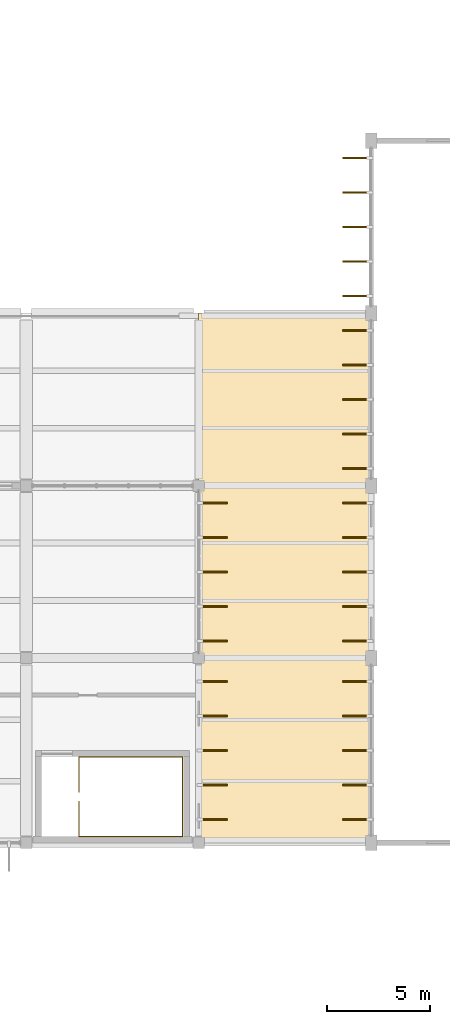
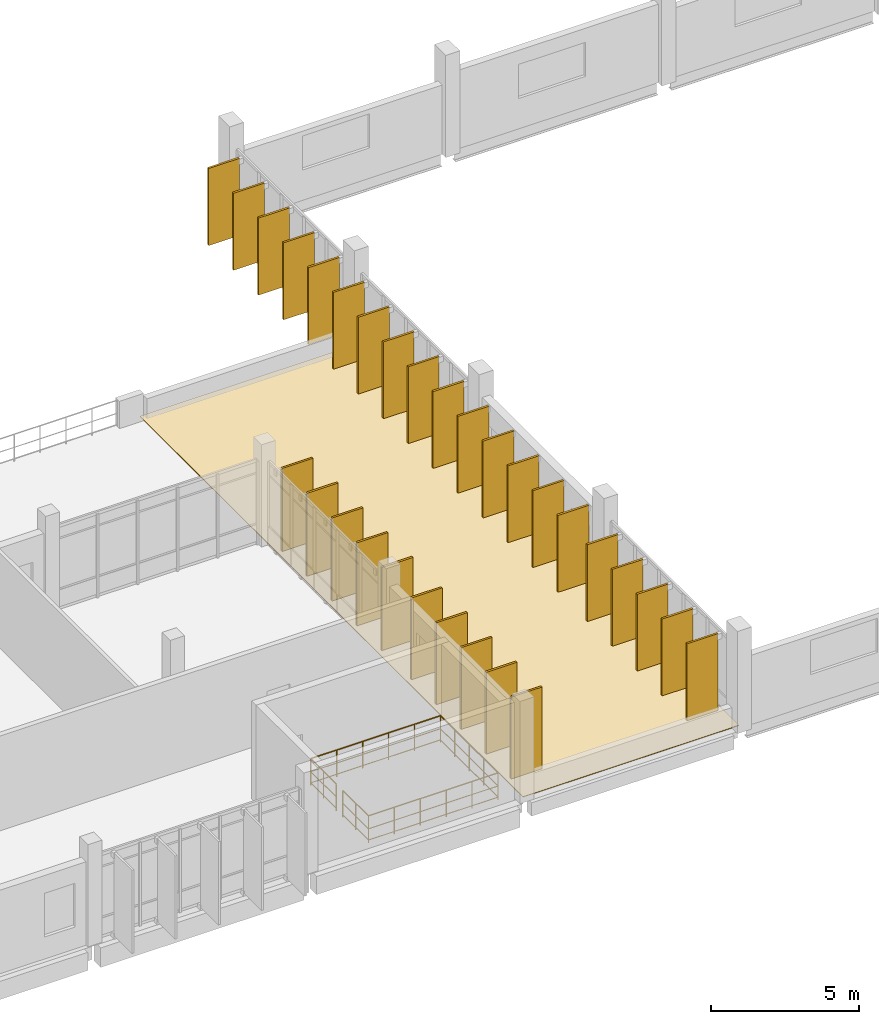
# One storey, part 129 of 130: 30 shading devices, 1 covering, 1 railing.
"""IFC4 building model written with IfcOpenShell, lengths in metres."""

from ifc_helpers import new_model, si_unit, direction, frame, origin, origin_2d, place, context, subcontext, project, spatial, polyline, rectangle, circle, outline, extrude, material, layer, layer_set, material_profile, profile_set, type_object, element, save


model = new_model("IFC4")

# Units and contexts
model_context = context("Model", 3, precision=1e-05, world=origin(), true_north=direction((0.0, 1.0)))
body_context = subcontext(model_context, "Body", "Model", "MODEL_VIEW")
ifc_project = project(units=[si_unit("LENGTHUNIT", "METRE"), si_unit("AREAUNIT", "SQUARE_METRE"), si_unit("VOLUMEUNIT", "CUBIC_METRE"), si_unit("PLANEANGLEUNIT", "RADIAN"), si_unit("MASSUNIT", "GRAM", prefix="KILO")], contexts=[model_context])

# Site, building, storey
site_placement = place(None, origin())
site = spatial("IfcSite", under=ifc_project, at=site_placement, CompositionType="ELEMENT")
building_placement = place(site_placement, origin())
building = spatial("IfcBuilding", under=site, at=building_placement, Name="Vireocrest Preparatory School", CompositionType="ELEMENT")
storey_placement = place(building_placement, frame((0.0, 0.0, 9.0)))
storey = spatial("IfcBuildingStorey", under=building, at=storey_placement, Name="L02", CompositionType="ELEMENT", Elevation=9.0)

# Railing
ifc_material_1 = material(Name="Brushed stainless steel AISI 316", Category="steel")
railing_type = type_object("IfcRailingType", Name="Post-and-Rail Guard Balustrade 1120", PredefinedType="BALUSTRADE", material=ifc_material_1)
railing_placement = place(storey_placement, frame((128.570068359375, 20.469970703125, 0.0)))
element("IfcRailing", 1, at=railing_placement, inside=storey, type_object=railing_type, Name="Top Stairwell Perimeter Guard ST6 L02", PredefinedType="BALUSTRADE", context=body_context, shape_type="SweptSolid", body=[
    extrude(circle(Radius=0.02392578125, at=origin_2d()), frame((0.0, 0.0, 1.09619140625), z_axis=(0.0, 1.0, 0.0), x_axis=(-1.0, 0.0, 0.0)), (0.0, 0.0, 1.0), 1.719970703125),
    extrude(circle(Radius=0.01806640625, at=origin_2d()), frame((0.0, 0.0, 0.56005859375), z_axis=(0.0, 1.0, 0.0), x_axis=(-1.0, 0.0, 0.0)), (0.0, 0.0, 1.0), 1.719970703125),
    extrude(circle(Radius=0.01806640625, at=origin_2d()), frame((0.0, 0.0, 0.10009765625), z_axis=(0.0, 1.0, 0.0), x_axis=(-1.0, 0.0, 0.0)), (0.0, 0.0, 1.0), 1.719970703125),
    extrude(circle(Radius=0.02392578125, at=origin_2d()), frame((0.0, 1.719970703125, 1.09619140625), z_axis=(1.0, 0.0, 0.0), x_axis=(0.0, 1.0, 0.0)), (0.0, 0.0, 1.0), 5.0400390625),
    extrude(circle(Radius=0.01806640625, at=origin_2d()), frame((0.0, 1.719970703125, 0.56005859375), z_axis=(1.0, 0.0, 0.0), x_axis=(0.0, 1.0, 0.0)), (0.0, 0.0, 1.0), 5.0400390625),
    extrude(circle(Radius=0.01806640625, at=origin_2d()), frame((0.0, 1.719970703125, 0.10009765625), z_axis=(1.0, 0.0, 0.0), x_axis=(0.0, 1.0, 0.0)), (0.0, 0.0, 1.0), 5.0400390625),
    extrude(circle(Radius=0.02392578125, at=origin_2d()), frame((5.0400390625, 1.719970703125, 1.09619140625), z_axis=(0.0, -1.0, 0.0), x_axis=(1.0, 0.0, 0.0)), (0.0, 0.0, 1.0), 3.8798828125),
    extrude(circle(Radius=0.01806640625, at=origin_2d()), frame((5.0400390625, 1.719970703125, 0.56005859375), z_axis=(0.0, -1.0, 0.0), x_axis=(1.0, 0.0, 0.0)), (0.0, 0.0, 1.0), 3.8798828125),
    extrude(circle(Radius=0.01806640625, at=origin_2d()), frame((5.0400390625, 1.719970703125, 0.10009765625), z_axis=(0.0, -1.0, 0.0), x_axis=(1.0, 0.0, 0.0)), (0.0, 0.0, 1.0), 3.8798828125),
    extrude(circle(Radius=0.02392578125, at=origin_2d()), frame((5.0400390625, -2.159912109375, 1.09619140625), z_axis=(-1.0, 0.0, 0.0), x_axis=(0.0, -1.0, 0.0)), (0.0, 0.0, 1.0), 5.0400390625),
    extrude(circle(Radius=0.01806640625, at=origin_2d()), frame((5.0400390625, -2.159912109375, 0.56005859375), z_axis=(-1.0, 0.0, 0.0), x_axis=(0.0, -1.0, 0.0)), (0.0, 0.0, 1.0), 5.0400390625),
    extrude(circle(Radius=0.01806640625, at=origin_2d()), frame((5.0400390625, -2.159912109375, 0.10009765625), z_axis=(-1.0, 0.0, 0.0), x_axis=(0.0, -1.0, 0.0)), (0.0, 0.0, 1.0), 5.0400390625),
    extrude(circle(Radius=0.02392578125, at=origin_2d()), frame((0.0, -2.159912109375, 1.09619140625), z_axis=(0.0, 1.0, 0.0), x_axis=(-1.0, 0.0, 0.0)), (0.0, 0.0, 1.0), 1.719970703125),
    extrude(circle(Radius=0.01806640625, at=origin_2d()), frame((0.0, -2.159912109375, 0.56005859375), z_axis=(0.0, 1.0, 0.0), x_axis=(-1.0, 0.0, 0.0)), (0.0, 0.0, 1.0), 1.719970703125),
    extrude(circle(Radius=0.01806640625, at=origin_2d()), frame((0.0, -2.159912109375, 0.10009765625), z_axis=(0.0, 1.0, 0.0), x_axis=(-1.0, 0.0, 0.0)), (0.0, 0.0, 1.0), 1.719970703125),
    extrude(circle(Radius=0.02099609375, at=origin_2d()), origin(), (0.0, 0.0, 1.0), 1.072021484375),
    extrude(circle(Radius=0.02099609375, at=origin_2d()), frame((0.0, 0.85986328125, 0.0)), (0.0, 0.0, 1.0), 1.072021484375),
    extrude(circle(Radius=0.02099609375, at=origin_2d()), frame((0.0, 1.719970703125, 0.0)), (0.0, 0.0, 1.0), 1.072021484375),
    extrude(circle(Radius=0.02099609375, at=origin_2d()), frame((1.008056640625, 1.719970703125, 0.0)), (0.0, 0.0, 1.0), 1.072021484375),
    extrude(circle(Radius=0.02099609375, at=origin_2d()), frame((2.01611328125, 1.719970703125, 0.0)), (0.0, 0.0, 1.0), 1.072021484375),
    extrude(circle(Radius=0.02099609375, at=origin_2d()), frame((3.02392578125, 1.719970703125, 0.0)), (0.0, 0.0, 1.0), 1.072021484375),
    extrude(circle(Radius=0.02099609375, at=origin_2d()), frame((4.031982421875, 1.719970703125, 0.0)), (0.0, 0.0, 1.0), 1.072021484375),
    extrude(circle(Radius=0.02099609375, at=origin_2d()), frame((5.0400390625, 1.719970703125, 0.0)), (0.0, 0.0, 1.0), 1.072021484375),
    extrude(circle(Radius=0.02099609375, at=origin_2d()), frame((5.0400390625, 0.75, 0.0)), (0.0, 0.0, 1.0), 1.072021484375),
    extrude(circle(Radius=0.02099609375, at=origin_2d()), frame((5.0400390625, -0.219970703125, 0.0)), (0.0, 0.0, 1.0), 1.072021484375),
    extrude(circle(Radius=0.02099609375, at=origin_2d()), frame((5.0400390625, -1.18994140625, 0.0)), (0.0, 0.0, 1.0), 1.072021484375),
    extrude(circle(Radius=0.02099609375, at=origin_2d()), frame((5.0400390625, -2.159912109375, 0.0)), (0.0, 0.0, 1.0), 1.072021484375),
    extrude(circle(Radius=0.02099609375, at=origin_2d()), frame((4.031982421875, -2.159912109375, 0.0)), (0.0, 0.0, 1.0), 1.072021484375),
    extrude(circle(Radius=0.02099609375, at=origin_2d()), frame((3.02392578125, -2.159912109375, 0.0)), (0.0, 0.0, 1.0), 1.072021484375),
    extrude(circle(Radius=0.02099609375, at=origin_2d()), frame((2.01611328125, -2.159912109375, 0.0)), (0.0, 0.0, 1.0), 1.072021484375),
    extrude(circle(Radius=0.02099609375, at=origin_2d()), frame((1.008056640625, -2.159912109375, 0.0)), (0.0, 0.0, 1.0), 1.072021484375),
    extrude(circle(Radius=0.02099609375, at=origin_2d()), frame((0.0, -2.159912109375, 0.0)), (0.0, 0.0, 1.0), 1.072021484375),
    extrude(circle(Radius=0.02099609375, at=origin_2d()), frame((0.0, -1.2998046875, 0.0)), (0.0, 0.0, 1.0), 1.072021484375),
    extrude(circle(Radius=0.02099609375, at=origin_2d()), frame((0.0, -0.43994140625, 0.0)), (0.0, 0.0, 1.0), 1.072021484375),
])

# Covering
ifc_material_2 = material(Name="TPO single-ply insulated roofing membrane")
ifc_layer = layer(ifc_material_2, 0.030029296875)
ifc_layer_set = layer_set([ifc_layer], Name="TPO single-ply insulated roofing membrane")
covering_type = type_object("IfcCoveringType", Name="TPO Insulated Single-Ply Roof Membrane", PredefinedType="ROOFING", material=ifc_layer_set)
covering_placement = place(storey_placement, origin())
element("IfcCovering", 2, at=covering_placement, inside=storey, type_object=covering_type, Name="Roof Membrane L02_EAST_LINK_ROOF_E", PredefinedType="ROOFING", context=body_context, shape_type="SweptSolid", body=[
    extrude(outline(polyline([(134.39990234375, 18.0), (142.800048828125, 18.0), (142.800048828125, 43.800048828125), (134.39990234375, 43.800048828125), (134.39990234375, 18.0)])), origin(), (0.0, 0.0, 1.0), 0.030029296875),
])

# Shading devices
ifc_material_3 = material(Name="Warm anodised aluminium EN AW-6063-T6", Category="aluminium")
ifc_material_profile = material_profile(ifc_material_3, rectangle(XDim=0.080078125, YDim=1.199951171875, at=origin_2d()), Name="FIN 80x1200")
ifc_profile_set = profile_set([ifc_material_profile], Name="Warm anodised aluminium EN AW-6063-T6")
shading_device_type = type_object("IfcShadingDeviceType", Name="Vertical Anodised Aluminium Solar Fin 1200", PredefinedType="USERDEFINED", material=ifc_profile_set)
for number, where, z_axis, x_axis, name in (
    (3, (135.179931640625, 19.139892578125, 0.02001953125), (0.0, 0.0, 1.0), (0.0, -1.0, 0.0), "Vertical Solar Fin FN1 L02-27-1"),
    (4, (135.179931640625, 20.820068359375, 0.02001953125), (0.0, 0.0, 1.0), (0.0, -1.0, 0.0), "Vertical Solar Fin FN1 L02-27-2"),
    (5, (135.179931640625, 22.5, 0.02001953125), (0.0, 0.0, 1.0), (0.0, -1.0, 0.0), "Vertical Solar Fin FN1 L02-27-3"),
    (6, (135.179931640625, 24.179931640625, 0.02001953125), (0.0, 0.0, 1.0), (0.0, -1.0, 0.0), "Vertical Solar Fin FN1 L02-27-4"),
    (7, (135.179931640625, 25.860107421875, 0.02001953125), (0.0, 0.0, 1.0), (0.0, -1.0, 0.0), "Vertical Solar Fin FN1 L02-27-5"),
):
    element("IfcShadingDevice", number, at=place(storey_placement, frame(where, z_axis=z_axis, x_axis=x_axis)), inside=storey, type_object=shading_device_type, Name=name, ObjectType="FIN", PredefinedType="USERDEFINED", context=body_context, shape_type="SweptSolid", body=[
        extrude(rectangle(XDim=0.080078125, YDim=1.199951171875, at=origin_2d()), origin(), (0.0, 0.0, 1.0), 3.369873046875),
    ])
for number, where, z_axis, x_axis, name in (
    (8, (135.179931640625, 27.840087890625, 0.02001953125), (0.0, 0.0, 1.0), (0.0, -1.0, 0.0), "Vertical Solar Fin FN1 L02-28-1"),
    (9, (135.179931640625, 29.52001953125, 0.02001953125), (0.0, 0.0, 1.0), (0.0, -1.0, 0.0), "Vertical Solar Fin FN1 L02-28-2"),
    (10, (135.179931640625, 31.199951171875, 0.02001953125), (0.0, 0.0, 1.0), (0.0, -1.0, 0.0), "Vertical Solar Fin FN1 L02-28-3"),
    (11, (135.179931640625, 32.8798828125, 0.02001953125), (0.0, 0.0, 1.0), (0.0, -1.0, 0.0), "Vertical Solar Fin FN1 L02-28-4"),
    (12, (135.179931640625, 34.56005859375, 0.02001953125), (0.0, 0.0, 1.0), (0.0, -1.0, 0.0), "Vertical Solar Fin FN1 L02-28-5"),
):
    element("IfcShadingDevice", number, at=place(storey_placement, frame(where, z_axis=z_axis, x_axis=x_axis)), inside=storey, type_object=shading_device_type, Name=name, ObjectType="FIN", PredefinedType="USERDEFINED", context=body_context, shape_type="SweptSolid", body=[
        extrude(rectangle(XDim=0.080078125, YDim=1.199951171875, at=origin_2d()), origin(), (0.0, 0.0, 1.0), 3.419921875),
    ])
for number, where, z_axis, x_axis, name in (
    (13, (142.02001953125, 19.139892578125, 0.02001953125), (0.0, 0.0, 1.0), (0.0, 1.0, 0.0), "Vertical Solar Fin FN1 L02-29-1"),
    (14, (142.02001953125, 20.820068359375, 0.02001953125), (0.0, 0.0, 1.0), (0.0, 1.0, 0.0), "Vertical Solar Fin FN1 L02-29-2"),
    (15, (142.02001953125, 22.5, 0.02001953125), (0.0, 0.0, 1.0), (0.0, 1.0, 0.0), "Vertical Solar Fin FN1 L02-29-3"),
    (16, (142.02001953125, 24.179931640625, 0.02001953125), (0.0, 0.0, 1.0), (0.0, 1.0, 0.0), "Vertical Solar Fin FN1 L02-29-4"),
    (17, (142.02001953125, 25.860107421875, 0.02001953125), (0.0, 0.0, 1.0), (0.0, 1.0, 0.0), "Vertical Solar Fin FN1 L02-29-5"),
    (18, (142.02001953125, 27.840087890625, 0.02001953125), (0.0, 0.0, 1.0), (0.0, 1.0, 0.0), "Vertical Solar Fin FN1 L02-30-1"),
    (19, (142.02001953125, 29.52001953125, 0.02001953125), (0.0, 0.0, 1.0), (0.0, 1.0, 0.0), "Vertical Solar Fin FN1 L02-30-2"),
    (20, (142.02001953125, 31.199951171875, 0.02001953125), (0.0, 0.0, 1.0), (0.0, 1.0, 0.0), "Vertical Solar Fin FN1 L02-30-3"),
    (21, (142.02001953125, 32.8798828125, 0.02001953125), (0.0, 0.0, 1.0), (0.0, 1.0, 0.0), "Vertical Solar Fin FN1 L02-30-4"),
    (22, (142.02001953125, 34.56005859375, 0.02001953125), (0.0, 0.0, 1.0), (0.0, 1.0, 0.0), "Vertical Solar Fin FN1 L02-30-5"),
    (23, (142.02001953125, 36.239990234375, 0.02001953125), (0.0, 0.0, 1.0), (0.0, 1.0, 0.0), "Vertical Solar Fin FN1 L02-31-1"),
    (24, (142.02001953125, 37.919921875, 0.02001953125), (0.0, 0.0, 1.0), (0.0, 1.0, 0.0), "Vertical Solar Fin FN1 L02-31-2"),
    (25, (142.02001953125, 39.60009765625, 0.02001953125), (0.0, 0.0, 1.0), (0.0, 1.0, 0.0), "Vertical Solar Fin FN1 L02-31-3"),
    (26, (142.02001953125, 41.280029296875, 0.02001953125), (0.0, 0.0, 1.0), (0.0, 1.0, 0.0), "Vertical Solar Fin FN1 L02-31-4"),
    (27, (142.02001953125, 42.9599609375, 0.02001953125), (0.0, 0.0, 1.0), (0.0, 1.0, 0.0), "Vertical Solar Fin FN1 L02-31-5"),
    (28, (142.02001953125, 44.639892578125, 0.02001953125), (0.0, 0.0, 1.0), (0.0, 1.0, 0.0), "Vertical Solar Fin FN1 L02-32-1"),
    (29, (142.02001953125, 46.320068359375, 0.02001953125), (0.0, 0.0, 1.0), (0.0, 1.0, 0.0), "Vertical Solar Fin FN1 L02-32-2"),
    (30, (142.02001953125, 48.0, 0.02001953125), (0.0, 0.0, 1.0), (0.0, 1.0, 0.0), "Vertical Solar Fin FN1 L02-32-3"),
    (31, (142.02001953125, 49.679931640625, 0.02001953125), (0.0, 0.0, 1.0), (0.0, 1.0, 0.0), "Vertical Solar Fin FN1 L02-32-4"),
    (32, (142.02001953125, 51.360107421875, 0.02001953125), (0.0, 0.0, 1.0), (0.0, 1.0, 0.0), "Vertical Solar Fin FN1 L02-32-5"),
):
    element("IfcShadingDevice", number, at=place(storey_placement, frame(where, z_axis=z_axis, x_axis=x_axis)), inside=storey, type_object=shading_device_type, Name=name, ObjectType="FIN", PredefinedType="USERDEFINED", context=body_context, shape_type="SweptSolid", body=[
        extrude(rectangle(XDim=0.080078125, YDim=1.199951171875, at=origin_2d()), origin(), (0.0, 0.0, 1.0), 3.1669921875),
    ])

save(model, "model.ifc")
